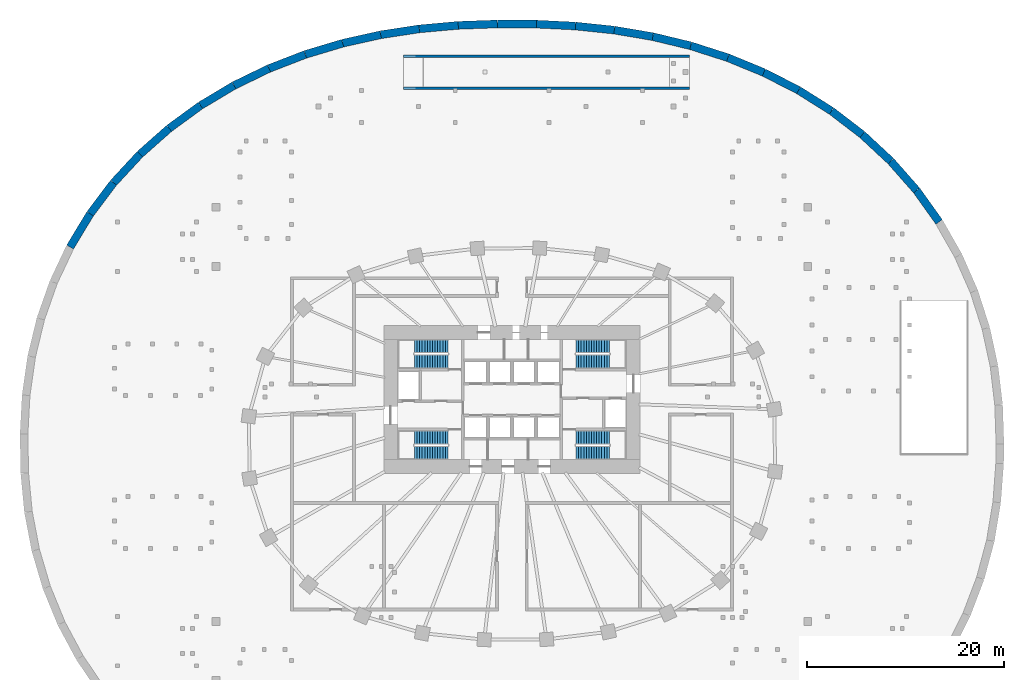
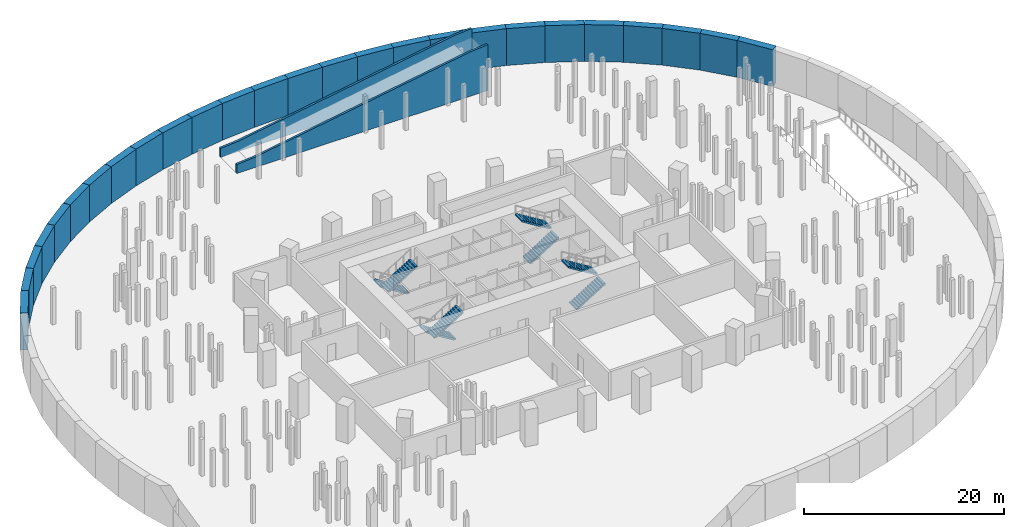
# One storey, part 7 of 9: 28 walls, 8 stair flights, 4 elements without a shape of their own.
"""IFC4 building model written with IfcOpenShell, lengths in metres."""

import ifcopenshell
import ifcopenshell.guid

model = None  # the IFC model being written
_history = None  # IfcOwnerHistory: only IFC2X3 demands one
_inside = {}  # id of a spatial element -> (the spatial element, [elements in it])
_under = {}  # id of a project, library or spatial element -> (it, [spatial elements below it])
_declared = {}  # id of a project -> (the project, [libraries it declares])
_typed = {}  # id of a type object -> (the type object, [elements of that type])
_made_of = {}  # id of a material, layer set ... -> (it, [elements and type objects made of it])


def new_model(schema):
    """Start an empty IFC model of exactly this schema.

    Asked for "IFC4X3", IfcOpenShell would pick the latest addendum, in which some entities
    have other attributes; the version numbers below select the first issue.
    IFC2X3 requires an IfcOwnerHistory on every rooted entity: one is made here for all.
    """
    global model, _history
    if schema == "IFC4X3":
        model = ifcopenshell.file(schema_version=(4, 3, 0, 0))
    else:
        model = ifcopenshell.file(schema=schema)
    _inside.clear()
    _under.clear()
    _declared.clear()
    _typed.clear()
    _made_of.clear()
    _history = None
    if model.schema == "IFC2X3":
        org = make("IfcOrganization", Name="unknown")
        user = make(
            "IfcPersonAndOrganization",
            ThePerson=make("IfcPerson", FamilyName="unknown"),
            TheOrganization=org,
        )
        app = make(
            "IfcApplication",
            ApplicationDeveloper=org,
            Version="unknown",
            ApplicationFullName="unknown",
            ApplicationIdentifier="unknown",
        )
        _history = make(
            "IfcOwnerHistory",
            OwningUser=user,
            OwningApplication=app,
            ChangeAction="ADDED",
            CreationDate=0,
        )
    return model


def make(cls, **values):
    """One entity of the class cls with the attributes given. An attribute that is None is left unset."""
    return model.create_entity(
        cls, **{name: value for name, value in values.items() if value is not None}
    )


def rooted(cls, **values):
    """An entity with a GlobalId (a new one), such as an element, a storey or a relation."""
    return make(cls, GlobalId=ifcopenshell.guid.new(), OwnerHistory=_history, **values)


def si_unit(unit_type, name, prefix=None):
    """IfcSIUnit, for example si_unit("LENGTHUNIT", "METRE", prefix="MILLI")."""
    return make("IfcSIUnit", UnitType=unit_type, Prefix=prefix, Name=name)


def assignment(units):
    """IfcUnitAssignment: the units of a project."""
    return None if units is None else make("IfcUnitAssignment", Units=units)


def point(xyz):
    """IfcCartesianPoint."""
    return None if xyz is None else make("IfcCartesianPoint", Coordinates=xyz)


def direction(xyz):
    """IfcDirection."""
    return None if xyz is None else make("IfcDirection", DirectionRatios=xyz)


def frame(location, z_axis=None, x_axis=None):
    """IfcAxis2Placement3D, a coordinate frame: its origin and axes. An axis left out is left unset."""
    return make(
        "IfcAxis2Placement3D",
        Location=point(location),
        Axis=direction(z_axis),
        RefDirection=direction(x_axis),
    )


def frame_2d(location, x_axis=None):
    """IfcAxis2Placement2D, a coordinate frame in the plane: its origin and x axis."""
    return make(
        "IfcAxis2Placement2D", Location=point(location), RefDirection=direction(x_axis)
    )


def origin():
    """The frame at (0, 0, 0) with its axes left unset."""
    return frame((0.0, 0.0, 0.0))


def place(relative_to, where):
    """IfcLocalPlacement: puts the frame where relative to a parent placement (None: the world)."""
    return make(
        "IfcLocalPlacement", PlacementRelTo=relative_to, RelativePlacement=where
    )


def context(
    kind, dimensions, precision=None, world=None, true_north=None, identifier=None
):
    """IfcGeometricRepresentationContext, for example the 3D "Model" context."""
    return make(
        "IfcGeometricRepresentationContext",
        ContextIdentifier=identifier,
        ContextType=kind,
        CoordinateSpaceDimension=dimensions,
        Precision=precision,
        WorldCoordinateSystem=world,
        TrueNorth=true_north,
    )


def subcontext(parent, identifier, kind, view, scale=None):
    """IfcGeometricRepresentationSubContext, for example "Body" below "Model"."""
    return make(
        "IfcGeometricRepresentationSubContext",
        ContextIdentifier=identifier,
        ContextType=kind,
        ParentContext=parent,
        TargetScale=scale,
        TargetView=view,
    )


def project(units=None, contexts=None):
    """IfcProject with its units and contexts."""
    return rooted(
        "IfcProject",
        Name="project",
        RepresentationContexts=contexts,
        UnitsInContext=assignment(units),
    )


def spatial(cls, under=None, at=None, **own):
    """A site, building, storey or space (cls), placed at a placement, below another one or the project."""
    s = rooted(cls, ObjectPlacement=at, **own)
    if under is not None:
        _under.setdefault(under.id(), (under, []))[1].append(s)
    return s


def polyline(points):
    """IfcPolyline through the points."""
    return make("IfcPolyline", Points=[point(p) for p in points])


def profile(cls, at=None, kind="AREA", **sizes):
    """A parametric profile (cls). Its sizes go by their IFC names, for example OverallWidth=200.0."""
    return make(cls, ProfileType=kind, Position=at, **sizes)


def rectangle(**sizes):
    """IfcRectangleProfileDef."""
    return profile("IfcRectangleProfileDef", **sizes)


def outline(outer, holes=None, kind="AREA"):
    """IfcArbitraryClosedProfileDef: a profile drawn as a closed curve; with holes, ...WithVoids."""
    if holes is None:
        return make("IfcArbitraryClosedProfileDef", ProfileType=kind, OuterCurve=outer)
    return make(
        "IfcArbitraryProfileDefWithVoids",
        ProfileType=kind,
        OuterCurve=outer,
        InnerCurves=holes,
    )


def extrude(swept, where, along, depth):
    """IfcExtrudedAreaSolid: the profile swept, set in the frame where, extruded along a direction by depth."""
    return make(
        "IfcExtrudedAreaSolid",
        SweptArea=swept,
        Position=where,
        ExtrudedDirection=direction(along),
        Depth=depth,
    )


def shape(context_of_items, identifier, shape_type, items):
    """IfcShapeRepresentation: the items that make up one representation, for example the "Body"."""
    return make(
        "IfcShapeRepresentation",
        ContextOfItems=context_of_items,
        RepresentationIdentifier=identifier,
        RepresentationType=shape_type,
        Items=items,
    )


def material(Name=None, Category=None):
    """IfcMaterial."""
    return make("IfcMaterial", Name=Name, Category=Category)


def layer(
    of_material, thickness, ventilated=None, Name=None, Category=None, Priority=None
):
    """IfcMaterialLayer: one layer of a wall or slab, of a material (None: an air gap)."""
    return make(
        "IfcMaterialLayer",
        Material=of_material,
        LayerThickness=thickness,
        IsVentilated=ventilated,
        Name=Name,
        Category=Category,
        Priority=Priority,
    )


def layer_set(layers, Name=None):
    """IfcMaterialLayerSet."""
    return make("IfcMaterialLayerSet", MaterialLayers=layers, LayerSetName=Name)


def made_of(thing, what):
    """Note that an element or type object is made of a material, layer set ...; save() writes the relation."""
    if what is not None:
        _made_of.setdefault(what.id(), (what, []))[1].append(thing)
    return thing


def type_object(cls, material=None, **own):
    """A type object (cls), such as IfcWallType, which elements share."""
    return made_of(rooted(cls, **own), material)


def element(
    cls,
    number,
    at=None,
    inside=None,
    cuts=None,
    type_object=None,
    material=None,
    context=None,
    identifier="Body",
    shape_type=None,
    held_by="IfcProductDefinitionShape",
    body=None,
    shapes=None,
    **own,
):
    """One element of the class cls, such as IfcWall. Its Tag is "e" and its number.

    at: its placement. inside: the storey or other place that contains it. cuts: it is an
    opening in that element (IfcRelVoidsElement). A single representation is given by context,
    identifier, shape_type and body (its items); several are given by shapes. held_by: the class
    of the entity that holds the representations. save() writes the other relations.
    """
    e = rooted(cls, Tag="e%d" % number, ObjectPlacement=at, **own)
    if body is not None:
        shapes = [shape(context, identifier, shape_type, body)]
    if shapes is not None:
        e.Representation = make(held_by, Representations=shapes)
    if inside is not None:
        _inside.setdefault(inside.id(), (inside, []))[1].append(e)
    if cuts is not None:
        rooted(
            "IfcRelVoidsElement", RelatingBuildingElement=cuts, RelatedOpeningElement=e
        )
    if type_object is not None:
        _typed.setdefault(type_object.id(), (type_object, []))[1].append(e)
    return made_of(e, material)


def aggregate(whole, parts):
    """IfcRelAggregates: a whole, such as a stair, and the parts it consists of."""
    return rooted("IfcRelAggregates", RelatingObject=whole, RelatedObjects=parts)


def save(model, path):
    """Write the relations noted so far, then the file.

    IfcRelAggregates (storeys below a building ...), IfcRelContainedInSpatialStructure (elements
    in a storey), IfcRelDefinesByType, IfcRelAssociatesMaterial and IfcRelDeclares: one each for
    every whole, place, type object, material and project.
    """
    for whole, parts in _under.values():
        aggregate(whole, parts)
    for where, things in _inside.values():
        rooted(
            "IfcRelContainedInSpatialStructure",
            RelatedElements=things,
            RelatingStructure=where,
        )
    for kind, things in _typed.values():
        rooted("IfcRelDefinesByType", RelatedObjects=things, RelatingType=kind)
    for what, things in _made_of.values():
        rooted("IfcRelAssociatesMaterial", RelatedObjects=things, RelatingMaterial=what)
    for by, libraries in _declared.values():
        rooted("IfcRelDeclares", RelatingContext=by, RelatedDefinitions=libraries)
    model.write(path)


model = new_model("IFC4")

# Units and contexts
model_context = context("Model", 3, precision=1e-05, world=origin(), true_north=direction((0.0, 1.0)))
body_context = subcontext(model_context, "Body", "Model", "MODEL_VIEW")
ifc_project = project(units=[si_unit("LENGTHUNIT", "METRE"), si_unit("AREAUNIT", "SQUARE_METRE"), si_unit("VOLUMEUNIT", "CUBIC_METRE"), si_unit("PLANEANGLEUNIT", "RADIAN"), si_unit("MASSUNIT", "GRAM", prefix="KILO")], contexts=[model_context])

# Site, building, storey
site_placement = place(None, origin())
site = spatial("IfcSite", under=ifc_project, at=site_placement, CompositionType="ELEMENT")
building_placement = place(site_placement, origin())
building = spatial("IfcBuilding", under=site, at=building_placement, Name="Rubra Terraces Tower", CompositionType="ELEMENT")
storey_placement = place(building_placement, frame((0.0, 0.0, -10.5)))
storey = spatial("IfcBuildingStorey", under=building, at=storey_placement, Name="B2", CompositionType="ELEMENT", Elevation=-10.5)

# Walls
ifc_material_1 = material(Name="Concrete C40", Category="concrete")
ifc_layer_1 = layer(ifc_material_1, 0.800048828125)
ifc_layer_set_1 = layer_set([ifc_layer_1], Name="Concrete C40")
wall_type_1 = type_object("IfcWallType", Name="BASEMENT WALL 800", PredefinedType="SOLIDWALL", material=ifc_layer_set_1)
wall_1_placement = place(storey_placement, frame((-44.81591796875, 19.964111328125, 0.0), z_axis=(0.0, 0.0, 1.0), x_axis=(0.517025826806, 0.855969797607, 0.0)))
element("IfcWall", 1, at=wall_1_placement, inside=storey, type_object=wall_type_1, Name="wall-B2-basement-044", PredefinedType="SOLIDWALL", context=body_context, shape_type="SweptSolid", body=[
    extrude(rectangle(XDim=3.94140625, YDim=0.800048828125, at=frame_2d((1.970703125, 0.0))), origin(), (0.0, 0.0, 1.0), 4.5),
])
wall_2_placement = place(storey_placement, frame((-42.778076171875, 23.337890625, 0.0), z_axis=(0.0, 0.0, 1.0), x_axis=(0.601930372291, 0.798548575175, 0.0)))
element("IfcWall", 2, at=wall_2_placement, inside=storey, type_object=wall_type_1, Name="wall-B2-basement-045", PredefinedType="SOLIDWALL", context=body_context, shape_type="SweptSolid", body=[
    extrude(rectangle(XDim=3.9423828125, YDim=0.800048828125, at=frame_2d((1.97119140625, 0.0))), origin(), (0.0, 0.0, 1.0), 4.5),
])
wall_3_placement = place(storey_placement, frame((-40.405029296875, 26.486083984375, 0.0), z_axis=(0.0, 0.0, 1.0), x_axis=(0.679341363133, 0.733822398361, 0.0)))
element("IfcWall", 3, at=wall_3_placement, inside=storey, type_object=wall_type_1, Name="wall-B2-basement-046", PredefinedType="SOLIDWALL", context=body_context, shape_type="SweptSolid", body=[
    extrude(rectangle(XDim=3.943359375, YDim=0.800048828125, at=frame_2d((1.9716796875, 0.0))), origin(), (0.0, 0.0, 1.0), 4.5),
])
wall_4_placement = place(storey_placement, frame((-37.72607421875, 29.3798828125, 0.0), z_axis=(0.0, 0.0, 1.0), x_axis=(0.748282708278, 0.663379972936, 0.0)))
element("IfcWall", 4, at=wall_4_placement, inside=storey, type_object=wall_type_1, Name="wall-B2-basement-047", PredefinedType="SOLIDWALL", context=body_context, shape_type="SweptSolid", body=[
    extrude(rectangle(XDim=3.9453125, YDim=0.800048828125, at=frame_2d((1.97265625, 0.0))), origin(), (0.0, 0.0, 1.0), 4.5),
])
wall_5_placement = place(storey_placement, frame((-34.77392578125, 31.9970703125, 0.0), z_axis=(0.0, 0.0, 1.0), x_axis=(0.807844288367, 0.589395966861, 0.0)))
element("IfcWall", 5, at=wall_5_placement, inside=storey, type_object=wall_type_1, Name="wall-B2-basement-048", PredefinedType="SOLIDWALL", context=body_context, shape_type="SweptSolid", body=[
    extrude(rectangle(XDim=3.9462890625, YDim=0.800048828125, at=frame_2d((1.97314453125, 0.0))), origin(), (0.0, 0.0, 1.0), 4.5),
])
wall_6_placement = place(storey_placement, frame((-31.5859375, 34.322998046875, 0.0), z_axis=(0.0, 0.0, 1.0), x_axis=(0.858234183213, 0.513258304135, 0.0)))
element("IfcWall", 6, at=wall_6_placement, inside=storey, type_object=wall_type_1, Name="wall-B2-basement-049", PredefinedType="SOLIDWALL", context=body_context, shape_type="SweptSolid", body=[
    extrude(rectangle(XDim=3.947509765625, YDim=0.800048828125, at=frame_2d((1.9736328125, 0.0))), origin(), (0.0, 0.0, 1.0), 4.5),
])
wall_7_placement = place(storey_placement, frame((-28.197998046875, 36.34912109375, 0.0), z_axis=(0.0, 0.0, 1.0), x_axis=(0.899739832589, 0.436426664691, 0.0)))
element("IfcWall", 7, at=wall_7_placement, inside=storey, type_object=wall_type_1, Name="wall-B2-basement-050", PredefinedType="SOLIDWALL", context=body_context, shape_type="SweptSolid", body=[
    extrude(rectangle(XDim=3.949951171875, YDim=0.800048828125, at=frame_2d((1.97509765625, 0.0))), origin(), (0.0, 0.0, 1.0), 4.5),
])
wall_8_placement = place(storey_placement, frame((-24.64404296875, 38.072998046875, 0.0), z_axis=(0.0, 0.0, 1.0), x_axis=(0.932555353047, 0.361027026001, 0.0)))
element("IfcWall", 8, at=wall_8_placement, inside=storey, type_object=wall_type_1, Name="wall-B2-basement-051", PredefinedType="SOLIDWALL", context=body_context, shape_type="SweptSolid", body=[
    extrude(rectangle(XDim=3.95263671875, YDim=0.800048828125, at=frame_2d((1.976318359375, 0.0))), origin(), (0.0, 0.0, 1.0), 4.5),
])
wall_9_placement = place(storey_placement, frame((-20.9580078125, 39.5, 0.0), z_axis=(0.0, 0.0, 1.0), x_axis=(0.95767487473, 0.287852104928, 0.0)))
element("IfcWall", 9, at=wall_9_placement, inside=storey, type_object=wall_type_1, Name="wall-B2-basement-052", PredefinedType="SOLIDWALL", context=body_context, shape_type="SweptSolid", body=[
    extrude(rectangle(XDim=3.953125, YDim=0.800048828125, at=frame_2d((1.9765625, 0.0))), origin(), (0.0, 0.0, 1.0), 4.5),
])
wall_10_placement = place(storey_placement, frame((-17.172119140625, 40.637939453125, 0.0), z_axis=(0.0, 0.0, 1.0), x_axis=(0.976139122894, 0.217146063181, 0.0)))
element("IfcWall", 10, at=wall_10_placement, inside=storey, type_object=wall_type_1, Name="wall-B2-basement-053", PredefinedType="SOLIDWALL", context=body_context, shape_type="SweptSolid", body=[
    extrude(rectangle(XDim=3.95654296875, YDim=0.800048828125, at=frame_2d((1.978271484375, 0.0))), origin(), (0.0, 0.0, 1.0), 4.5),
])
wall_11_placement = place(storey_placement, frame((-13.31005859375, 41.4970703125, 0.0), z_axis=(0.0, 0.0, 1.0), x_axis=(0.988527324847, 0.151042139915, 0.0)))
element("IfcWall", 11, at=wall_11_placement, inside=storey, type_object=wall_type_1, Name="wall-B2-basement-054", PredefinedType="SOLIDWALL", context=body_context, shape_type="SweptSolid", body=[
    extrude(rectangle(XDim=3.95849609375, YDim=0.800048828125, at=frame_2d((1.979248046875, 0.0))), origin(), (0.0, 0.0, 1.0), 4.5),
])
wall_12_placement = place(storey_placement, frame((-9.39697265625, 42.094970703125, 0.0), z_axis=(0.0, 0.0, 1.0), x_axis=(0.995978123884, 0.089596745167, 0.0)))
element("IfcWall", 12, at=wall_12_placement, inside=storey, type_object=wall_type_1, Name="wall-B2-basement-055", PredefinedType="SOLIDWALL", context=body_context, shape_type="SweptSolid", body=[
    extrude(rectangle(XDim=3.9619140625, YDim=0.800048828125, at=frame_2d((1.98095703125, 0.0))), origin(), (0.0, 0.0, 1.0), 4.5),
])
wall_13_placement = place(storey_placement, frame((-5.450927734375, 42.449951171875, 0.0), z_axis=(0.0, 0.0, 1.0), x_axis=(0.999357824978, 0.035832075785, 0.0)))
element("IfcWall", 13, at=wall_13_placement, inside=storey, type_object=wall_type_1, Name="wall-B2-basement-056", PredefinedType="SOLIDWALL", context=body_context, shape_type="SweptSolid", body=[
    extrude(rectangle(XDim=3.96533203125, YDim=0.800048828125, at=frame_2d((1.982666015625, 0.0))), origin(), (0.0, 0.0, 1.0), 4.5),
])
wall_14_placement = place(storey_placement, frame((-1.488037109375, 42.592041015625, 0.0), z_axis=(0.0, 0.0, 1.0), x_axis=(0.999989630128, -0.004554079182, 0.0)))
element("IfcWall", 14, at=wall_14_placement, inside=storey, type_object=wall_type_1, Name="wall-B2-basement-057", PredefinedType="SOLIDWALL", context=body_context, shape_type="SweptSolid", body=[
    extrude(rectangle(XDim=3.967041015625, YDim=0.800048828125, at=frame_2d((1.9833984375, 0.0))), origin(), (0.0, 0.0, 1.0), 4.5),
])
wall_15_placement = place(storey_placement, frame((2.47900390625, 42.573974609375, 0.0), z_axis=(0.0, 0.0, 1.0), x_axis=(0.998839819641, -0.048156149134, 0.0)))
element("IfcWall", 15, at=wall_15_placement, inside=storey, type_object=wall_type_1, Name="wall-B2-basement-058", PredefinedType="SOLIDWALL", context=body_context, shape_type="SweptSolid", body=[
    extrude(rectangle(XDim=3.964599609375, YDim=0.800048828125, at=frame_2d((1.982421875, 0.0))), origin(), (0.0, 0.0, 1.0), 4.5),
])
wall_16_placement = place(storey_placement, frame((6.43896484375, 42.383056640625, 0.0), z_axis=(0.0, 0.0, 1.0), x_axis=(0.994522998166, -0.104517970312, 0.0)))
element("IfcWall", 16, at=wall_16_placement, inside=storey, type_object=wall_type_1, Name="wall-B2-basement-059", PredefinedType="SOLIDWALL", context=body_context, shape_type="SweptSolid", body=[
    extrude(rectangle(XDim=3.961669921875, YDim=0.800048828125, at=frame_2d((1.98095703125, 0.0))), origin(), (0.0, 0.0, 1.0), 4.5),
])
wall_17_placement = place(storey_placement, frame((10.37890625, 41.968994140625, 0.0), z_axis=(0.0, 0.0, 1.0), x_axis=(0.985907879515, -0.167289130279, 0.0)))
element("IfcWall", 17, at=wall_17_placement, inside=storey, type_object=wall_type_1, Name="wall-B2-basement-060", PredefinedType="SOLIDWALL", context=body_context, shape_type="SweptSolid", body=[
    extrude(rectangle(XDim=3.957763671875, YDim=0.800048828125, at=frame_2d((1.97900390625, 0.0))), origin(), (0.0, 0.0, 1.0), 4.5),
])
wall_18_placement = place(storey_placement, frame((14.281005859375, 41.306884765625, 0.0), z_axis=(0.0, 0.0, 1.0), x_axis=(0.97214528797, -0.234379049998, 0.0)))
element("IfcWall", 18, at=wall_18_placement, inside=storey, type_object=wall_type_1, Name="wall-B2-basement-061", PredefinedType="SOLIDWALL", context=body_context, shape_type="SweptSolid", body=[
    extrude(rectangle(XDim=3.955078125, YDim=0.800048828125, at=frame_2d((1.9775390625, 0.0))), origin(), (0.0, 0.0, 1.0), 4.5),
])
wall_19_placement = place(storey_placement, frame((18.1259765625, 40.3798828125, 0.0), z_axis=(0.0, 0.0, 1.0), x_axis=(0.952119733855, -0.305725387242, 0.0)))
element("IfcWall", 19, at=wall_19_placement, inside=storey, type_object=wall_type_1, Name="wall-B2-basement-062", PredefinedType="SOLIDWALL", context=body_context, shape_type="SweptSolid", body=[
    extrude(rectangle(XDim=3.95458984375, YDim=0.800048828125, at=frame_2d((1.977294921875, 0.0))), origin(), (0.0, 0.0, 1.0), 4.5),
])
wall_20_placement = place(storey_placement, frame((21.89111328125, 39.1708984375, 0.0), z_axis=(0.0, 0.0, 1.0), x_axis=(0.925028349338, -0.37989808228, 0.0)))
element("IfcWall", 20, at=wall_20_placement, inside=storey, type_object=wall_type_1, Name="wall-B2-basement-063", PredefinedType="SOLIDWALL", context=body_context, shape_type="SweptSolid", body=[
    extrude(rectangle(XDim=3.950927734375, YDim=0.800048828125, at=frame_2d((1.9755859375, 0.0))), origin(), (0.0, 0.0, 1.0), 4.5),
])
wall_21_placement = place(storey_placement, frame((25.5458984375, 37.669921875, 0.0), z_axis=(0.0, 0.0, 1.0), x_axis=(0.890108207411, -0.455749250246, 0.0)))
element("IfcWall", 21, at=wall_21_placement, inside=storey, type_object=wall_type_1, Name="wall-B2-basement-064", PredefinedType="SOLIDWALL", context=body_context, shape_type="SweptSolid", body=[
    extrude(rectangle(XDim=3.94921875, YDim=0.800048828125, at=frame_2d((1.974609375, 0.0))), origin(), (0.0, 0.0, 1.0), 4.5),
])
wall_22_placement = place(storey_placement, frame((29.06103515625, 35.8701171875, 0.0), z_axis=(0.0, 0.0, 1.0), x_axis=(0.846595147824, -0.532237405375, 0.0)))
element("IfcWall", 22, at=wall_22_placement, inside=storey, type_object=wall_type_1, Name="wall-B2-basement-065", PredefinedType="SOLIDWALL", context=body_context, shape_type="SweptSolid", body=[
    extrude(rectangle(XDim=3.947509765625, YDim=0.800048828125, at=frame_2d((1.9736328125, 0.0))), origin(), (0.0, 0.0, 1.0), 4.5),
])
wall_23_placement = place(storey_placement, frame((32.403076171875, 33.76904296875, 0.0), z_axis=(0.0, 0.0, 1.0), x_axis=(0.793719876986, -0.608283451096, 0.0)))
element("IfcWall", 23, at=wall_23_placement, inside=storey, type_object=wall_type_1, Name="wall-B2-basement-066", PredefinedType="SOLIDWALL", context=body_context, shape_type="SweptSolid", body=[
    extrude(rectangle(XDim=3.94580078125, YDim=0.800048828125, at=frame_2d((1.972900390625, 0.0))), origin(), (0.0, 0.0, 1.0), 4.5),
])
wall_24_placement = place(storey_placement, frame((35.534912109375, 31.368896484375, 0.0), z_axis=(0.0, 0.0, 1.0), x_axis=(0.732030218805, -0.68127216203, 0.0)))
element("IfcWall", 24, at=wall_24_placement, inside=storey, type_object=wall_type_1, Name="wall-B2-basement-067", PredefinedType="SOLIDWALL", context=body_context, shape_type="SweptSolid", body=[
    extrude(rectangle(XDim=3.944091796875, YDim=0.800048828125, at=frame_2d((1.97216796875, 0.0))), origin(), (0.0, 0.0, 1.0), 4.5),
])
wall_25_placement = place(storey_placement, frame((38.422119140625, 28.681884765625, 0.0), z_axis=(0.0, 0.0, 1.0), x_axis=(0.660798136834, -0.750563669756, 0.0)))
element("IfcWall", 25, at=wall_25_placement, inside=storey, type_object=wall_type_1, Name="wall-B2-basement-068", PredefinedType="SOLIDWALL", context=body_context, shape_type="SweptSolid", body=[
    extrude(rectangle(XDim=3.943603515625, YDim=0.800048828125, at=frame_2d((1.9716796875, 0.0))), origin(), (0.0, 0.0, 1.0), 4.5),
])
wall_26_placement = place(storey_placement, frame((41.028076171875, 25.721923828125, 0.0), z_axis=(0.0, 0.0, 1.0), x_axis=(0.581331910966, -0.813666522166, 0.0)))
element("IfcWall", 26, at=wall_26_placement, inside=storey, type_object=wall_type_1, Name="wall-B2-basement-069", PredefinedType="SOLIDWALL", context=body_context, shape_type="SweptSolid", body=[
    extrude(rectangle(XDim=3.942626953125, YDim=0.800048828125, at=frame_2d((1.97119140625, 0.0))), origin(), (0.0, 0.0, 1.0), 4.5),
])
ifc_material_2 = material(Name="Concrete C40/50", Category="concrete")
ifc_layer_2 = layer(ifc_material_2, 0.25)
ifc_layer_set_2 = layer_set([ifc_layer_2], Name="Concrete C40/50")
wall_type_2 = type_object("IfcWallType", Name="Ramp wall 250 concrete", PredefinedType="SOLIDWALL", material=ifc_layer_set_2)
for number, where, z_axis, x_axis, name in (
    (27, (-11.0, 36.074951171875, 0.0), (0.0, 0.0, 1.0), (1.0, 0.0, 0.0), "Ramp wall"),
    (28, (-11.0, 39.324951171875, 0.0), (0.0, 0.0, 1.0), (1.0, 0.0, 0.0), "Ramp wall"),
):
    element("IfcWall", number, at=place(storey_placement, frame(where, z_axis=z_axis, x_axis=x_axis)), inside=storey, type_object=wall_type_2, Name=name, PredefinedType="SOLIDWALL", context=body_context, shape_type="SweptSolid", body=[
        extrude(outline(polyline([(0.0, 0.0), (29.0, 0.0), (29.0, 5.60009765625), (27.0, 5.43310546875), (2.0, 1.26708984375), (0.0, 1.10009765625), (0.0, 0.0)])), frame((0.0, 0.125, 0.0), z_axis=(0.0, -1.0, 0.0), x_axis=(1.0, 0.0, 0.0)), (0.0, 0.0, 1.0), 0.25),
    ])

# Stair, stair flights
stair_type = type_object("IfcStairType", Name="Core stair 1400", PredefinedType="HALF_TURN_STAIR", material=ifc_material_1)
stair_1_placement = place(storey_placement, origin())
stair_1 = element("IfcStair", 29, at=stair_1_placement, inside=storey, type_object=stair_type, Name="B2 Exit stair S1", PredefinedType="HALF_TURN_STAIR")
stair_flight_type = type_object("IfcStairFlightType", Name="Core stair flight 1400", PredefinedType="STRAIGHT", material=ifc_material_1)
stair_flight_1_placement = place(storey_placement, frame((-6.5, 0.64990234375, 0.0), z_axis=(0.0, 0.0, 1.0), x_axis=(-1.0, 0.0, 0.0)))
stair_flight_1 = element("IfcStairFlight", 30, at=stair_flight_1_placement, type_object=stair_flight_type, Name="S1 flight 1", NumberOfRisers=14, NumberOfTreads=13, PredefinedType="STRAIGHT", RiserHeight=0.160714286, TreadLength=0.26, context=body_context, shape_type="SweptSolid", body=[
    extrude(outline(polyline([(0.0, 0.0), (0.0, 0.16064453125), (0.260009765625, 0.16064453125), (0.260009765625, 0.321533203125), (0.52001953125, 0.321533203125), (0.52001953125, 0.482177734375), (0.780029296875, 0.482177734375), (0.780029296875, 0.642822265625), (1.0400390625, 0.642822265625), (1.0400390625, 0.803466796875), (1.300048828125, 0.803466796875), (1.300048828125, 0.96435546875), (1.56005859375, 0.96435546875), (1.56005859375, 1.125), (1.820068359375, 1.125), (1.820068359375, 1.28564453125), (2.080078125, 1.28564453125), (2.080078125, 1.446533203125), (2.340087890625, 1.446533203125), (2.340087890625, 1.607177734375), (2.60009765625, 1.607177734375), (2.60009765625, 1.767822265625), (2.860107421875, 1.767822265625), (2.860107421875, 1.928466796875), (3.1201171875, 1.928466796875), (3.1201171875, 2.08935546875), (3.3798828125, 2.08935546875), (3.3798828125, 2.25), (3.3798828125, 1.9130859375), (0.28515625, 0.0), (0.0, 0.0)])), frame((0.0, 0.699951171875, 0.0), z_axis=(0.0, -1.0, 0.0), x_axis=(1.0, 0.0, 0.0)), (0.0, 0.0, 1.0), 1.39990234375),
])
stair_flight_2_placement = place(storey_placement, frame((-9.8798828125, -0.89990234375, 2.25), z_axis=(0.0, 0.0, 1.0), x_axis=(1.0, 0.0, 0.0)))
stair_flight_2 = element("IfcStairFlight", 31, at=stair_flight_2_placement, type_object=stair_flight_type, Name="S1 flight 2", NumberOfRisers=14, NumberOfTreads=13, PredefinedType="STRAIGHT", RiserHeight=0.160714286, TreadLength=0.26, context=body_context, shape_type="SweptSolid", body=[
    extrude(outline(polyline([(0.0, 0.0), (0.0, 0.16064453125), (0.260009765625, 0.16064453125), (0.260009765625, 0.321533203125), (0.52001953125, 0.321533203125), (0.52001953125, 0.482177734375), (0.780029296875, 0.482177734375), (0.780029296875, 0.642822265625), (1.0400390625, 0.642822265625), (1.0400390625, 0.803466796875), (1.300048828125, 0.803466796875), (1.300048828125, 0.96435546875), (1.56005859375, 0.96435546875), (1.56005859375, 1.125), (1.820068359375, 1.125), (1.820068359375, 1.28564453125), (2.080078125, 1.28564453125), (2.080078125, 1.446533203125), (2.340087890625, 1.446533203125), (2.340087890625, 1.607177734375), (2.60009765625, 1.607177734375), (2.60009765625, 1.767822265625), (2.860107421875, 1.767822265625), (2.860107421875, 1.928466796875), (3.1201171875, 1.928466796875), (3.1201171875, 2.08935546875), (3.3798828125, 2.08935546875), (3.3798828125, 2.25), (3.3798828125, 1.9130859375), (0.28515625, 0.0), (0.0, 0.0)])), frame((0.0, 0.699951171875, 0.0), z_axis=(0.0, -1.0, 0.0), x_axis=(1.0, 0.0, 0.0)), (0.0, 0.0, 1.0), 1.39990234375),
])
aggregate(stair_1, [stair_flight_1, stair_flight_2])

stair_2_placement = place(storey_placement, origin())
stair_2 = element("IfcStair", 32, at=stair_2_placement, inside=storey, type_object=stair_type, Name="B2 Exit stair S2", PredefinedType="HALF_TURN_STAIR")
stair_flight_3_placement = place(storey_placement, frame((-6.5, 9.89990234375, 0.0), z_axis=(0.0, 0.0, 1.0), x_axis=(-1.0, 0.0, 0.0)))
stair_flight_3 = element("IfcStairFlight", 33, at=stair_flight_3_placement, type_object=stair_flight_type, Name="S2 flight 1", NumberOfRisers=14, NumberOfTreads=13, PredefinedType="STRAIGHT", RiserHeight=0.160714286, TreadLength=0.26, context=body_context, shape_type="SweptSolid", body=[
    extrude(outline(polyline([(0.0, 0.0), (0.0, 0.16064453125), (0.260009765625, 0.16064453125), (0.260009765625, 0.321533203125), (0.52001953125, 0.321533203125), (0.52001953125, 0.482177734375), (0.780029296875, 0.482177734375), (0.780029296875, 0.642822265625), (1.0400390625, 0.642822265625), (1.0400390625, 0.803466796875), (1.300048828125, 0.803466796875), (1.300048828125, 0.96435546875), (1.56005859375, 0.96435546875), (1.56005859375, 1.125), (1.820068359375, 1.125), (1.820068359375, 1.28564453125), (2.080078125, 1.28564453125), (2.080078125, 1.446533203125), (2.340087890625, 1.446533203125), (2.340087890625, 1.607177734375), (2.60009765625, 1.607177734375), (2.60009765625, 1.767822265625), (2.860107421875, 1.767822265625), (2.860107421875, 1.928466796875), (3.1201171875, 1.928466796875), (3.1201171875, 2.08935546875), (3.3798828125, 2.08935546875), (3.3798828125, 2.25), (3.3798828125, 1.9130859375), (0.28515625, 0.0), (0.0, 0.0)])), frame((0.0, 0.699951171875, 0.0), z_axis=(0.0, -1.0, 0.0), x_axis=(1.0, 0.0, 0.0)), (0.0, 0.0, 1.0), 1.39990234375),
])
stair_flight_4_placement = place(storey_placement, frame((-9.8798828125, 8.35009765625, 2.25), z_axis=(0.0, 0.0, 1.0), x_axis=(1.0, 0.0, 0.0)))
stair_flight_4 = element("IfcStairFlight", 34, at=stair_flight_4_placement, type_object=stair_flight_type, Name="S2 flight 2", NumberOfRisers=14, NumberOfTreads=13, PredefinedType="STRAIGHT", RiserHeight=0.160714286, TreadLength=0.26, context=body_context, shape_type="SweptSolid", body=[
    extrude(outline(polyline([(0.0, 0.0), (0.0, 0.16064453125), (0.260009765625, 0.16064453125), (0.260009765625, 0.321533203125), (0.52001953125, 0.321533203125), (0.52001953125, 0.482177734375), (0.780029296875, 0.482177734375), (0.780029296875, 0.642822265625), (1.0400390625, 0.642822265625), (1.0400390625, 0.803466796875), (1.300048828125, 0.803466796875), (1.300048828125, 0.96435546875), (1.56005859375, 0.96435546875), (1.56005859375, 1.125), (1.820068359375, 1.125), (1.820068359375, 1.28564453125), (2.080078125, 1.28564453125), (2.080078125, 1.446533203125), (2.340087890625, 1.446533203125), (2.340087890625, 1.607177734375), (2.60009765625, 1.607177734375), (2.60009765625, 1.767822265625), (2.860107421875, 1.767822265625), (2.860107421875, 1.928466796875), (3.1201171875, 1.928466796875), (3.1201171875, 2.08935546875), (3.3798828125, 2.08935546875), (3.3798828125, 2.25), (3.3798828125, 1.9130859375), (0.28515625, 0.0), (0.0, 0.0)])), frame((0.0, 0.699951171875, 0.0), z_axis=(0.0, -1.0, 0.0), x_axis=(1.0, 0.0, 0.0)), (0.0, 0.0, 1.0), 1.39990234375),
])
aggregate(stair_2, [stair_flight_3, stair_flight_4])

stair_3_placement = place(storey_placement, origin())
stair_3 = element("IfcStair", 35, at=stair_3_placement, inside=storey, type_object=stair_type, Name="B2 Exit stair S3", PredefinedType="HALF_TURN_STAIR")
stair_flight_5_placement = place(storey_placement, frame((6.5, 8.35009765625, 0.0), z_axis=(0.0, 0.0, 1.0), x_axis=(1.0, 0.0, 0.0)))
stair_flight_5 = element("IfcStairFlight", 36, at=stair_flight_5_placement, type_object=stair_flight_type, Name="S3 flight 1", NumberOfRisers=14, NumberOfTreads=13, PredefinedType="STRAIGHT", RiserHeight=0.160714286, TreadLength=0.26, context=body_context, shape_type="SweptSolid", body=[
    extrude(outline(polyline([(0.0, 0.0), (0.0, 0.16064453125), (0.260009765625, 0.16064453125), (0.260009765625, 0.321533203125), (0.52001953125, 0.321533203125), (0.52001953125, 0.482177734375), (0.780029296875, 0.482177734375), (0.780029296875, 0.642822265625), (1.0400390625, 0.642822265625), (1.0400390625, 0.803466796875), (1.300048828125, 0.803466796875), (1.300048828125, 0.96435546875), (1.56005859375, 0.96435546875), (1.56005859375, 1.125), (1.820068359375, 1.125), (1.820068359375, 1.28564453125), (2.080078125, 1.28564453125), (2.080078125, 1.446533203125), (2.340087890625, 1.446533203125), (2.340087890625, 1.607177734375), (2.60009765625, 1.607177734375), (2.60009765625, 1.767822265625), (2.860107421875, 1.767822265625), (2.860107421875, 1.928466796875), (3.1201171875, 1.928466796875), (3.1201171875, 2.08935546875), (3.3798828125, 2.08935546875), (3.3798828125, 2.25), (3.3798828125, 1.9130859375), (0.28515625, 0.0), (0.0, 0.0)])), frame((0.0, 0.699951171875, 0.0), z_axis=(0.0, -1.0, 0.0), x_axis=(1.0, 0.0, 0.0)), (0.0, 0.0, 1.0), 1.39990234375),
])
stair_flight_6_placement = place(storey_placement, frame((9.8798828125, 9.89990234375, 2.25), z_axis=(0.0, 0.0, 1.0), x_axis=(-1.0, 0.0, 0.0)))
stair_flight_6 = element("IfcStairFlight", 37, at=stair_flight_6_placement, type_object=stair_flight_type, Name="S3 flight 2", NumberOfRisers=14, NumberOfTreads=13, PredefinedType="STRAIGHT", RiserHeight=0.160714286, TreadLength=0.26, context=body_context, shape_type="SweptSolid", body=[
    extrude(outline(polyline([(0.0, 0.0), (0.0, 0.16064453125), (0.260009765625, 0.16064453125), (0.260009765625, 0.321533203125), (0.52001953125, 0.321533203125), (0.52001953125, 0.482177734375), (0.780029296875, 0.482177734375), (0.780029296875, 0.642822265625), (1.0400390625, 0.642822265625), (1.0400390625, 0.803466796875), (1.300048828125, 0.803466796875), (1.300048828125, 0.96435546875), (1.56005859375, 0.96435546875), (1.56005859375, 1.125), (1.820068359375, 1.125), (1.820068359375, 1.28564453125), (2.080078125, 1.28564453125), (2.080078125, 1.446533203125), (2.340087890625, 1.446533203125), (2.340087890625, 1.607177734375), (2.60009765625, 1.607177734375), (2.60009765625, 1.767822265625), (2.860107421875, 1.767822265625), (2.860107421875, 1.928466796875), (3.1201171875, 1.928466796875), (3.1201171875, 2.08935546875), (3.3798828125, 2.08935546875), (3.3798828125, 2.25), (3.3798828125, 1.9130859375), (0.28515625, 0.0), (0.0, 0.0)])), frame((0.0, 0.699951171875, 0.0), z_axis=(0.0, -1.0, 0.0), x_axis=(1.0, 0.0, 0.0)), (0.0, 0.0, 1.0), 1.39990234375),
])
aggregate(stair_3, [stair_flight_5, stair_flight_6])

stair_4_placement = place(storey_placement, origin())
stair_4 = element("IfcStair", 38, at=stair_4_placement, inside=storey, type_object=stair_type, Name="B2 Exit stair S4", PredefinedType="HALF_TURN_STAIR")
stair_flight_7_placement = place(storey_placement, frame((6.5, -0.89990234375, 0.0), z_axis=(0.0, 0.0, 1.0), x_axis=(1.0, 0.0, 0.0)))
stair_flight_7 = element("IfcStairFlight", 39, at=stair_flight_7_placement, type_object=stair_flight_type, Name="S4 flight 1", NumberOfRisers=14, NumberOfTreads=13, PredefinedType="STRAIGHT", RiserHeight=0.160714286, TreadLength=0.26, context=body_context, shape_type="SweptSolid", body=[
    extrude(outline(polyline([(0.0, 0.0), (0.0, 0.16064453125), (0.260009765625, 0.16064453125), (0.260009765625, 0.321533203125), (0.52001953125, 0.321533203125), (0.52001953125, 0.482177734375), (0.780029296875, 0.482177734375), (0.780029296875, 0.642822265625), (1.0400390625, 0.642822265625), (1.0400390625, 0.803466796875), (1.300048828125, 0.803466796875), (1.300048828125, 0.96435546875), (1.56005859375, 0.96435546875), (1.56005859375, 1.125), (1.820068359375, 1.125), (1.820068359375, 1.28564453125), (2.080078125, 1.28564453125), (2.080078125, 1.446533203125), (2.340087890625, 1.446533203125), (2.340087890625, 1.607177734375), (2.60009765625, 1.607177734375), (2.60009765625, 1.767822265625), (2.860107421875, 1.767822265625), (2.860107421875, 1.928466796875), (3.1201171875, 1.928466796875), (3.1201171875, 2.08935546875), (3.3798828125, 2.08935546875), (3.3798828125, 2.25), (3.3798828125, 1.9130859375), (0.28515625, 0.0), (0.0, 0.0)])), frame((0.0, 0.699951171875, 0.0), z_axis=(0.0, -1.0, 0.0), x_axis=(1.0, 0.0, 0.0)), (0.0, 0.0, 1.0), 1.39990234375),
])
stair_flight_8_placement = place(storey_placement, frame((9.8798828125, 0.64990234375, 2.25), z_axis=(0.0, 0.0, 1.0), x_axis=(-1.0, 0.0, 0.0)))
stair_flight_8 = element("IfcStairFlight", 40, at=stair_flight_8_placement, type_object=stair_flight_type, Name="S4 flight 2", NumberOfRisers=14, NumberOfTreads=13, PredefinedType="STRAIGHT", RiserHeight=0.160714286, TreadLength=0.26, context=body_context, shape_type="SweptSolid", body=[
    extrude(outline(polyline([(0.0, 0.0), (0.0, 0.16064453125), (0.260009765625, 0.16064453125), (0.260009765625, 0.321533203125), (0.52001953125, 0.321533203125), (0.52001953125, 0.482177734375), (0.780029296875, 0.482177734375), (0.780029296875, 0.642822265625), (1.0400390625, 0.642822265625), (1.0400390625, 0.803466796875), (1.300048828125, 0.803466796875), (1.300048828125, 0.96435546875), (1.56005859375, 0.96435546875), (1.56005859375, 1.125), (1.820068359375, 1.125), (1.820068359375, 1.28564453125), (2.080078125, 1.28564453125), (2.080078125, 1.446533203125), (2.340087890625, 1.446533203125), (2.340087890625, 1.607177734375), (2.60009765625, 1.607177734375), (2.60009765625, 1.767822265625), (2.860107421875, 1.767822265625), (2.860107421875, 1.928466796875), (3.1201171875, 1.928466796875), (3.1201171875, 2.08935546875), (3.3798828125, 2.08935546875), (3.3798828125, 2.25), (3.3798828125, 1.9130859375), (0.28515625, 0.0), (0.0, 0.0)])), frame((0.0, 0.699951171875, 0.0), z_axis=(0.0, -1.0, 0.0), x_axis=(1.0, 0.0, 0.0)), (0.0, 0.0, 1.0), 1.39990234375),
])
aggregate(stair_4, [stair_flight_7, stair_flight_8])

save(model, "model.ifc")
